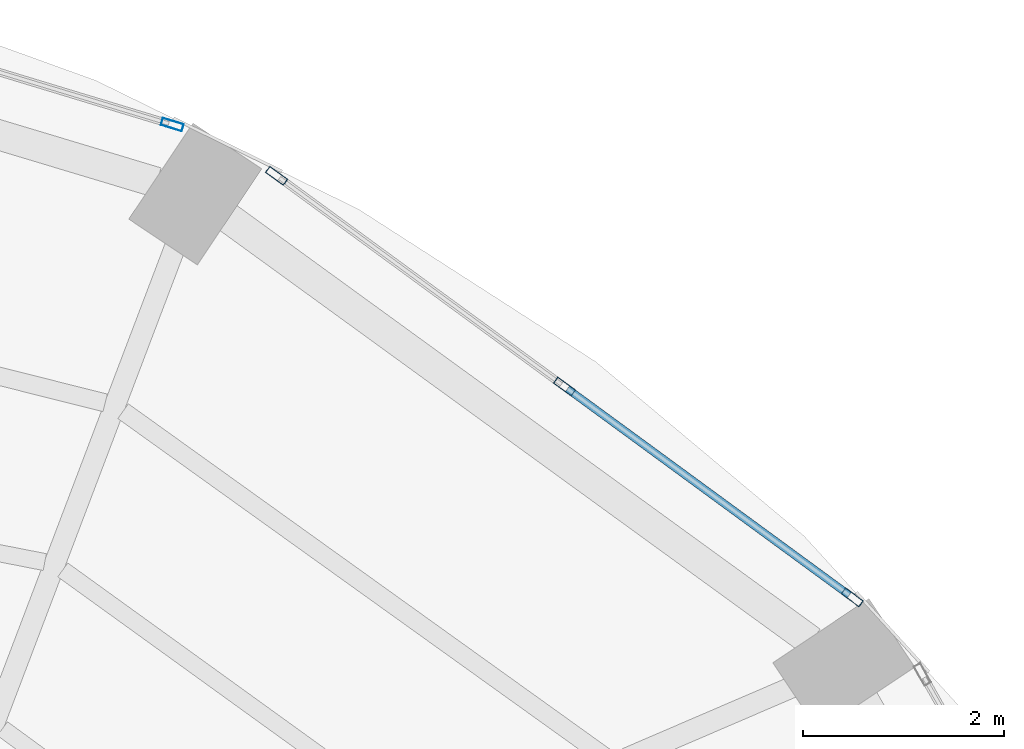
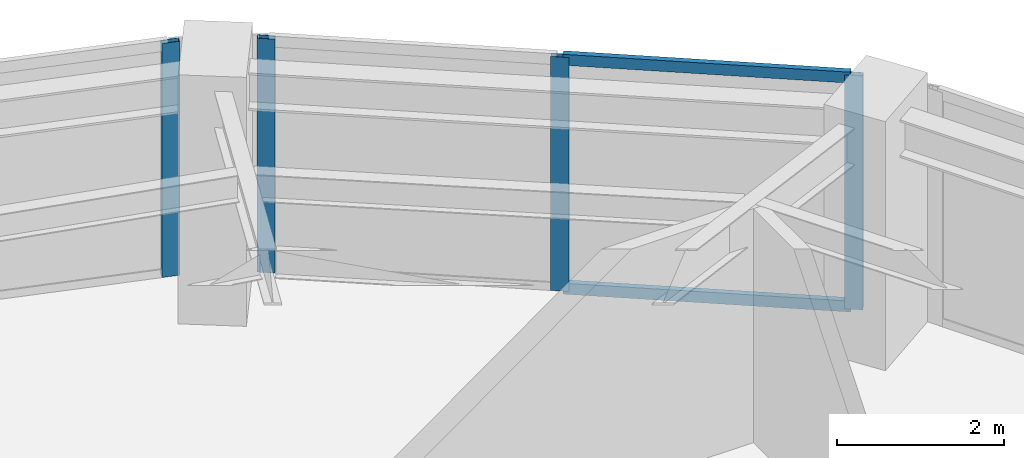
# One storey, part 14 of 20: 6 members, 2 elements without a shape of their own.
"""IFC4 building model written with IfcOpenShell, lengths in metres."""

from ifc_helpers import new_model, si_unit, direction, frame, origin, origin_2d, place, context, subcontext, project, spatial, hollow_rectangle, extrude, material, layer, layer_set, material_profile, profile_set, type_object, element, aggregate, save


model = new_model("IFC4")

# Units and contexts
model_context = context("Model", 3, precision=1e-05, world=origin(), true_north=direction((0.0, 1.0)))
body_context = subcontext(model_context, "Body", "Model", "MODEL_VIEW")
ifc_project = project(units=[si_unit("LENGTHUNIT", "METRE"), si_unit("AREAUNIT", "SQUARE_METRE"), si_unit("VOLUMEUNIT", "CUBIC_METRE"), si_unit("PLANEANGLEUNIT", "RADIAN"), si_unit("MASSUNIT", "GRAM", prefix="KILO")], contexts=[model_context])

# Site, building, storey
site_placement = place(None, origin())
site = spatial("IfcSite", under=ifc_project, at=site_placement, CompositionType="ELEMENT")
building_placement = place(site_placement, origin())
building = spatial("IfcBuilding", under=site, at=building_placement, Name="Lazwardi Medical Tower", CompositionType="ELEMENT")
storey_placement = place(building_placement, frame((0.0, 0.0, 182.06396484375)))
storey = spatial("IfcBuildingStorey", under=building, at=storey_placement, Name="L47", CompositionType="ELEMENT", Elevation=182.06396484375)

# Curtain wall, members
ifc_material_1 = material(Name="Anodised bronze aluminium and solar control glazing", Category="aluminium")
ifc_layer = layer(ifc_material_1, 0.195068359375)
ifc_layer_set = layer_set([ifc_layer], Name="Anodised bronze aluminium and solar control glazing")
curtain_wall_type = type_object("IfcCurtainWallType", Name="CW-SYS-03", PredefinedType="NOTDEFINED", material=ifc_layer_set)
curtain_wall_1_placement = place(storey_placement, origin())
curtain_wall_1 = element("IfcCurtainWall", 1, at=curtain_wall_1_placement, inside=storey, type_object=curtain_wall_type, Name="L47 Unitised bronze curtain wall CW-03", PredefinedType="NOTDEFINED")
ifc_material_2 = material(Name="Anodised bronze aluminium", Category="aluminium")
ifc_material_profile_1 = material_profile(ifc_material_2, hollow_rectangle(XDim=0.074951171875, YDim=0.219970703125, WallThickness=0.00390625, at=origin_2d()), Name="ALU-MULLION 220x75x4")
ifc_profile_set_1 = profile_set([ifc_material_profile_1], Name="Anodised bronze aluminium")
member_type_1 = type_object("IfcMemberType", Name="CW-MUL-01", PredefinedType="MULLION", material=ifc_profile_set_1)
member_1_placement = place(storey_placement, frame((55.519775390625, 40.5029296875, 0.0), z_axis=(0.0, 0.0, 1.0), x_axis=(-0.590833862635, -0.806793249082, 0.0)))
member_1 = element("IfcMember", 2, at=member_1_placement, type_object=member_type_1, Name="CW-03 mullion 1", PredefinedType="MULLION", context=body_context, shape_type="SweptSolid", body=[
    extrude(hollow_rectangle(XDim=0.074951171875, YDim=0.219970703125, WallThickness=0.00390625, at=origin_2d()), origin(), (0.0, 0.0, 1.0), 3.427978515625),
])
member_2_placement = place(storey_placement, frame((52.65771484375, 42.598876953125, 0.0), z_axis=(0.0, 0.0, 1.0), x_axis=(-0.590833862635, -0.806793249082, 0.0)))
member_2 = element("IfcMember", 3, at=member_2_placement, type_object=member_type_1, Name="CW-03 mullion 2", PredefinedType="MULLION", context=body_context, shape_type="SweptSolid", body=[
    extrude(hollow_rectangle(XDim=0.074951171875, YDim=0.219970703125, WallThickness=0.00390625, at=origin_2d()), origin(), (0.0, 0.0, 1.0), 3.427978515625),
])
member_3_placement = place(storey_placement, frame((49.795654296875, 44.69482421875, 0.0), z_axis=(0.0, 0.0, 1.0), x_axis=(-0.590833862635, -0.806793249082, 0.0)))
member_3 = element("IfcMember", 4, at=member_3_placement, type_object=member_type_1, Name="CW-03 mullion 3", PredefinedType="MULLION", context=body_context, shape_type="SweptSolid", body=[
    extrude(hollow_rectangle(XDim=0.074951171875, YDim=0.219970703125, WallThickness=0.00390625, at=origin_2d()), origin(), (0.0, 0.0, 1.0), 3.427978515625),
])

# Curtain wall, member
curtain_wall_2_placement = place(storey_placement, origin())
curtain_wall_2 = element("IfcCurtainWall", 5, at=curtain_wall_2_placement, inside=storey, type_object=curtain_wall_type, Name="L47 Unitised bronze curtain wall CW-03", PredefinedType="NOTDEFINED")
member_4_placement = place(storey_placement, frame((48.758056640625, 45.203369140625, 0.0), z_axis=(0.0, 0.0, 1.0), x_axis=(-0.290280785441, -0.956941516292, 0.0)))
member_4 = element("IfcMember", 6, at=member_4_placement, type_object=member_type_1, Name="CW-03 mullion 1", PredefinedType="MULLION", context=body_context, shape_type="SweptSolid", body=[
    extrude(hollow_rectangle(XDim=0.074951171875, YDim=0.219970703125, WallThickness=0.00390625, at=origin_2d()), origin(), (0.0, 0.0, 1.0), 3.427978515625),
])
aggregate(curtain_wall_2, [member_4])

# Member
ifc_material_profile_2 = material_profile(ifc_material_2, hollow_rectangle(XDim=0.074951171875, YDim=0.159912109375, WallThickness=0.00390625, at=origin_2d()), Name="ALU-TRANSOM 160x75x4")
ifc_profile_set_2 = profile_set([ifc_material_profile_2], Name="Anodised bronze aluminium")
member_type_2 = type_object("IfcMemberType", Name="CW-TRN-01", PredefinedType="USERDEFINED", material=ifc_profile_set_2)
member_5_placement = place(storey_placement, frame((55.489501953125, 40.525146484375, 0.03759765625), z_axis=(-0.806807161185, 0.590814864962, 0.0), x_axis=(-0.590814864962, -0.806807161185, 0.0)))
member_5 = element("IfcMember", 7, at=member_5_placement, type_object=member_type_2, Name="CW-03 transom 1.1", ObjectType="TRANSOM", PredefinedType="USERDEFINED", context=body_context, shape_type="SweptSolid", body=[
    extrude(hollow_rectangle(XDim=0.074951171875, YDim=0.159912109375, WallThickness=0.00390625, at=origin_2d()), origin(), (0.0, 0.0, 1.0), 3.472412109375),
])

member_6_placement = place(storey_placement, frame((55.489501953125, 40.525146484375, 3.390625), z_axis=(-0.806807161185, 0.590814864962, 0.0), x_axis=(-0.590814864962, -0.806807161185, 0.0)))
member_6 = element("IfcMember", 8, at=member_6_placement, type_object=member_type_2, Name="CW-03 transom 1.2", ObjectType="TRANSOM", PredefinedType="USERDEFINED", context=body_context, shape_type="SweptSolid", body=[
    extrude(hollow_rectangle(XDim=0.074951171875, YDim=0.159912109375, WallThickness=0.00390625, at=origin_2d()), origin(), (0.0, 0.0, 1.0), 3.472412109375),
])

aggregate(curtain_wall_1, [member_1, member_2, member_3, member_5, member_6])

save(model, "model.ifc")
